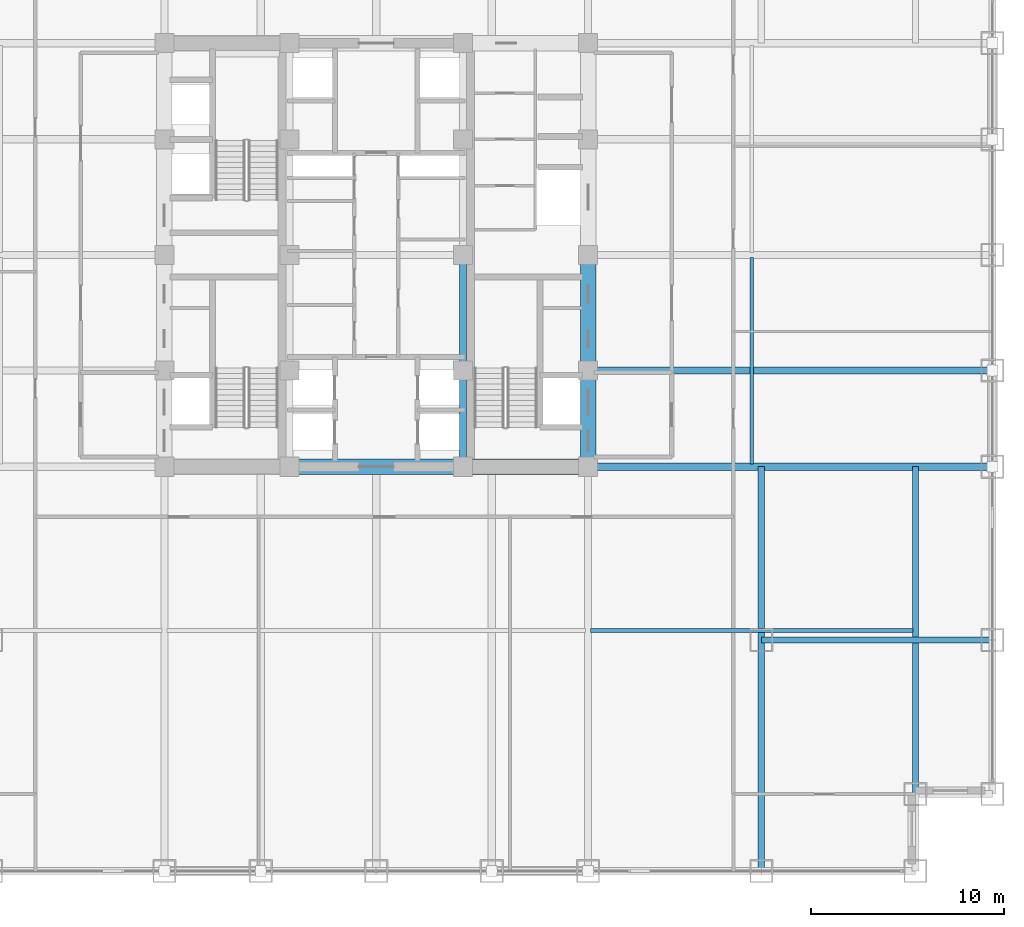
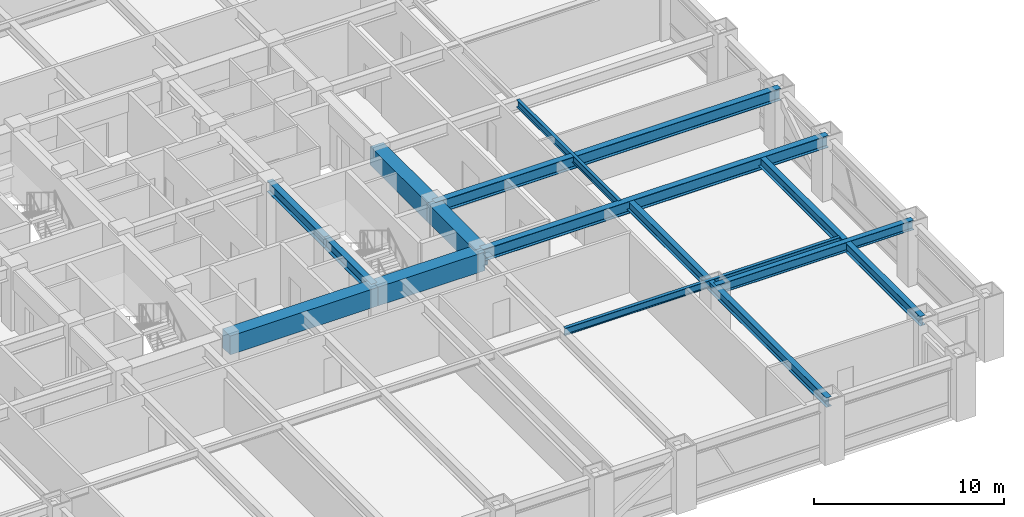
# One storey, part 7 of 27: 13 beams.
"""IFC4 building model written with IfcOpenShell, lengths in metres."""

from ifc_helpers import new_model, si_unit, direction, frame, origin, origin_2d, place, context, subcontext, project, spatial, rectangle, i_section, extrude, source, transform, mapped, material, material_profile, profile_set, type_object, element, save


model = new_model("IFC4")

# Units and contexts
model_context = context("Model", 3, precision=1e-05, world=origin(), true_north=direction((0.0, 1.0)))
body_context = subcontext(model_context, "Body", "Model", "MODEL_VIEW")
ifc_project = project(units=[si_unit("LENGTHUNIT", "METRE"), si_unit("AREAUNIT", "SQUARE_METRE"), si_unit("VOLUMEUNIT", "CUBIC_METRE"), si_unit("PLANEANGLEUNIT", "RADIAN"), si_unit("MASSUNIT", "GRAM", prefix="KILO")], contexts=[model_context])

# Site, building, storey
site_placement = place(None, origin())
site = spatial("IfcSite", under=ifc_project, at=site_placement, CompositionType="ELEMENT")
building_placement = place(site_placement, origin())
building = spatial("IfcBuilding", under=site, at=building_placement, Name="Khorayat Bourse Tower", CompositionType="ELEMENT")
storey_placement = place(building_placement, frame((0.0, 0.0, 111.89990234375)))
storey = spatial("IfcBuildingStorey", under=building, at=storey_placement, Name="L25", CompositionType="ELEMENT", Elevation=111.89990234375)

# Beams
ifc_material_1 = material(Name="Concrete C72/90", Category="concrete")
ifc_material_profile_1 = material_profile(ifc_material_1, rectangle(XDim=0.800048828125, YDim=1.199951171875, at=origin_2d()), Name="RC 800x1200")
ifc_profile_set_1 = profile_set([ifc_material_profile_1], Name="Concrete C72/90")
beam_type_1 = type_object("IfcBeamType", Name="BM-COUP-1200", PredefinedType="BEAM", material=ifc_profile_set_1)
shared_shape_1 = source(origin(), body_context, "Body", "SweptSolid", [
    extrude(rectangle(XDim=0.800048828125, YDim=1.199951171875, at=origin_2d()), origin(), (0.0, 0.0, 1.0), 5.0),
])
beam_1_placement = place(storey_placement, frame((11.0, -11.0, 3.239990234375), z_axis=(0.0, 1.0, 0.0), x_axis=(-1.0, 0.0, 0.0)))
element("IfcBeam", 1, at=beam_1_placement, inside=storey, type_object=beam_type_1, Name="L25 BM-COUP-1200 BM-L25-CRX-13", PredefinedType="BEAM", context=body_context, shape_type="MappedRepresentation", body=[
    mapped(shared_shape_1, transform((0.0, 0.0, 0.0), scale=1.0)),
])
shared_shape_2 = source(origin(), body_context, "Body", "SweptSolid", [
    extrude(rectangle(XDim=0.800048828125, YDim=1.199951171875, at=origin_2d()), origin(), (0.0, 0.0, 1.0), 6.0),
])
beam_2_placement = place(storey_placement, frame((11.0, -6.0, 3.239990234375), z_axis=(0.0, 1.0, 0.0), x_axis=(-1.0, 0.0, 0.0)))
element("IfcBeam", 2, at=beam_2_placement, inside=storey, type_object=beam_type_1, Name="L25 BM-COUP-1200 BM-L25-CRX-14", PredefinedType="BEAM", context=body_context, shape_type="MappedRepresentation", body=[
    mapped(shared_shape_2, transform((0.0, 0.0, 0.0), scale=1.0)),
])
ifc_material_2 = material(Name="Steel ASTM A992 Grade 50", Category="steel")
ifc_material_profile_2 = material_profile(ifc_material_2, i_section(OverallWidth=0.35498046875, OverallDepth=0.695068359375, WebThickness=0.015380859375, FlangeThickness=0.02490234375, FilletRadius=0.01806640625, at=origin_2d()), Name="W690X217")
ifc_profile_set_2 = profile_set([ifc_material_profile_2], Name="Steel ASTM A992 Grade 50")
beam_type_2 = type_object("IfcBeamType", Name="BM-GIRD-690", PredefinedType="BEAM", material=ifc_profile_set_2)
shared_shape_3 = source(origin(), body_context, "Body", "SweptSolid", [
    extrude(i_section(OverallWidth=0.35498046875, OverallDepth=0.695068359375, WebThickness=0.015380859375, FlangeThickness=0.02490234375, FilletRadius=0.01806640625, at=origin_2d()), origin(), (0.0, 0.0, 1.0), 5.0),
])
beam_3_placement = place(storey_placement, frame((4.5, -11.0, 3.49267578125), z_axis=(0.0, 1.0, 0.0), x_axis=(-1.0, 0.0, 0.0)))
element("IfcBeam", 3, at=beam_3_placement, inside=storey, type_object=beam_type_2, Name="L25 BM-GIRD-690 BM-L25-CRX-09", PredefinedType="BEAM", context=body_context, shape_type="MappedRepresentation", body=[
    mapped(shared_shape_3, transform((0.0, 0.0, 0.0), scale=1.0)),
])
shared_shape_4 = source(origin(), body_context, "Body", "SweptSolid", [
    extrude(i_section(OverallWidth=0.35498046875, OverallDepth=0.695068359375, WebThickness=0.015380859375, FlangeThickness=0.02490234375, FilletRadius=0.01806640625, at=origin_2d()), origin(), (0.0, 0.0, 1.0), 6.0),
])
beam_4_placement = place(storey_placement, frame((4.5, -6.0, 3.49267578125), z_axis=(0.0, 1.0, 0.0), x_axis=(-1.0, 0.0, 0.0)))
element("IfcBeam", 4, at=beam_4_placement, inside=storey, type_object=beam_type_2, Name="L25 BM-GIRD-690 BM-L25-CRX-10", PredefinedType="BEAM", context=body_context, shape_type="MappedRepresentation", body=[
    mapped(shared_shape_4, transform((0.0, 0.0, 0.0), scale=1.0)),
])
shared_shape_5 = source(origin(), body_context, "Body", "SweptSolid", [
    extrude(rectangle(XDim=0.800048828125, YDim=1.199951171875, at=origin_2d()), origin(), (0.0, 0.0, 1.0), 6.5),
])
beam_5_placement = place(storey_placement, frame((4.5, -11.0, 3.239990234375), z_axis=(1.0, 0.0, 0.0), x_axis=(0.0, 1.0, 0.0)))
element("IfcBeam", 5, at=beam_5_placement, inside=storey, type_object=beam_type_1, Name="L25 BM-COUP-1200 BM-L25-CRY-19", PredefinedType="BEAM", context=body_context, shape_type="MappedRepresentation", body=[
    mapped(shared_shape_5, transform((0.0, 0.0, 0.0), scale=1.0)),
])
shared_shape_6 = source(origin(), body_context, "Body", "SweptSolid", [
    extrude(rectangle(XDim=0.800048828125, YDim=1.199951171875, at=origin_2d()), origin(), (0.0, 0.0, 1.0), 9.0),
])
beam_6_placement = place(storey_placement, frame((-4.5, -11.0, 3.239990234375), z_axis=(1.0, 0.0, 0.0), x_axis=(0.0, 1.0, 0.0)))
element("IfcBeam", 6, at=beam_6_placement, inside=storey, type_object=beam_type_1, Name="L25 BM-COUP-1200 BM-L25-CRY-18", PredefinedType="BEAM", context=body_context, shape_type="MappedRepresentation", body=[
    mapped(shared_shape_6, transform((0.0, 0.0, 0.0), scale=1.0)),
])
ifc_material_profile_3 = material_profile(ifc_material_2, i_section(OverallWidth=0.324951171875, OverallDepth=0.615966796875, WebThickness=0.013916015625, FlangeThickness=0.021484375, FilletRadius=0.01611328125, at=origin_2d()), Name="W610X174")
ifc_profile_set_3 = profile_set([ifc_material_profile_3], Name="Steel ASTM A992 Grade 50")
beam_type_3 = type_object("IfcBeamType", Name="BM-GIRD-610", PredefinedType="BEAM", material=ifc_profile_set_3)
shared_shape_7 = source(origin(), body_context, "Body", "SweptSolid", [
    extrude(i_section(OverallWidth=0.324951171875, OverallDepth=0.615966796875, WebThickness=0.013916015625, FlangeThickness=0.021484375, FilletRadius=0.01611328125, at=origin_2d()), origin(), (0.0, 0.0, 1.0), 21.0),
])
beam_7_placement = place(storey_placement, frame((20.0, -32.0, 3.531982421875), z_axis=(0.0, 1.0, 0.0), x_axis=(-1.0, 0.0, 0.0)))
element("IfcBeam", 7, at=beam_7_placement, inside=storey, type_object=beam_type_3, Name="L25 BM-GIRD-610 BM-L25-CNRY-086", PredefinedType="BEAM", context=body_context, shape_type="MappedRepresentation", body=[
    mapped(shared_shape_7, transform((0.0, 0.0, 0.0), scale=1.0)),
])
shared_shape_8 = source(origin(), body_context, "Body", "SweptSolid", [
    extrude(i_section(OverallWidth=0.324951171875, OverallDepth=0.615966796875, WebThickness=0.013916015625, FlangeThickness=0.021484375, FilletRadius=0.01611328125, at=origin_2d()), origin(), (0.0, 0.0, 1.0), 12.0),
])
beam_8_placement = place(storey_placement, frame((20.0, -20.0, 3.531982421875), z_axis=(1.0, 0.0, 0.0), x_axis=(0.0, 1.0, 0.0)))
element("IfcBeam", 8, at=beam_8_placement, inside=storey, type_object=beam_type_3, Name="L25 BM-GIRD-610 BM-L25-CNRX-092", PredefinedType="BEAM", context=body_context, shape_type="MappedRepresentation", body=[
    mapped(shared_shape_8, transform((0.0, 0.0, 0.0), scale=1.0)),
])
ifc_material_profile_4 = material_profile(ifc_material_2, i_section(OverallWidth=0.194091796875, OverallDepth=0.468994140625, WebThickness=0.0126953125, FlangeThickness=0.0205078125, FilletRadius=0.012939453125, at=origin_2d()), Name="W460X106")
ifc_profile_set_4 = profile_set([ifc_material_profile_4], Name="Steel ASTM A992 Grade 50")
beam_type_4 = type_object("IfcBeamType", Name="BM-JOIST-460", PredefinedType="JOIST", material=ifc_profile_set_4)
shared_shape_9 = source(origin(), body_context, "Body", "SweptSolid", [
    extrude(i_section(OverallWidth=0.194091796875, OverallDepth=0.468994140625, WebThickness=0.0126953125, FlangeThickness=0.0205078125, FilletRadius=0.012939453125, at=origin_2d()), origin(), (0.0, 0.0, 1.0), 10.740234375),
])
beam_9_placement = place(storey_placement, frame((19.5, -10.8701171875, 3.605712890625), z_axis=(0.0, 1.0, 0.0), x_axis=(-1.0, 0.0, 0.0)))
element("IfcBeam", 9, at=beam_9_placement, inside=storey, type_object=beam_type_4, Name="L25 BM-JOIST-460 BM-L25-JSTY-104", PredefinedType="JOIST", context=body_context, shape_type="MappedRepresentation", body=[
    mapped(shared_shape_9, transform((0.0, 0.0, 0.0), scale=1.0)),
])
ifc_material_profile_5 = material_profile(ifc_material_2, i_section(OverallWidth=0.381103515625, OverallDepth=0.77294921875, WebThickness=0.0166015625, FlangeThickness=0.027587890625, FilletRadius=0.01806640625, at=origin_2d()), Name="W760X257")
ifc_profile_set_5 = profile_set([ifc_material_profile_5], Name="Steel ASTM A992 Grade 50")
beam_type_5 = type_object("IfcBeamType", Name="BM-GIRD-760", PredefinedType="BEAM", material=ifc_profile_set_5)
shared_shape_10 = source(origin(), body_context, "Body", "SweptSolid", [
    extrude(i_section(OverallWidth=0.381103515625, OverallDepth=0.77294921875, WebThickness=0.0166015625, FlangeThickness=0.027587890625, FilletRadius=0.01806640625, at=origin_2d()), origin(), (0.0, 0.0, 1.0), 21.0),
])
for number, where, z_axis, x_axis, name in (
    (10, (11.0, -11.0, 3.45361328125), (1.0, 0.0, 0.0), (0.0, 1.0, 0.0), "L25 BM-GIRD-760 BM-L25-RADX-074"),
    (11, (11.0, -6.0, 3.45361328125), (1.0, 0.0, 0.0), (0.0, 1.0, 0.0), "L25 BM-GIRD-760 BM-L25-RADX-076"),
):
    element("IfcBeam", number, at=place(storey_placement, frame(where, z_axis=z_axis, x_axis=x_axis)), inside=storey, type_object=beam_type_5, Name=name, PredefinedType="BEAM", context=body_context, shape_type="MappedRepresentation", body=[
        mapped(shared_shape_10, transform((0.0, 0.0, 0.0), scale=1.0)),
    ])
shared_shape_11 = source(origin(), body_context, "Body", "SweptSolid", [
    extrude(i_section(OverallWidth=0.324951171875, OverallDepth=0.615966796875, WebThickness=0.013916015625, FlangeThickness=0.021484375, FilletRadius=0.01611328125, at=origin_2d()), origin(), (0.0, 0.0, 1.0), 17.0),
])
beam_10_placement = place(storey_placement, frame((28.0, -28.0, 3.531982421875), z_axis=(0.0, 1.0, 0.0), x_axis=(-1.0, 0.0, 0.0)))
element("IfcBeam", 12, at=beam_10_placement, inside=storey, type_object=beam_type_3, Name="L25 BM-GIRD-610 BM-L25-CNRY-090", PredefinedType="BEAM", context=body_context, shape_type="MappedRepresentation", body=[
    mapped(shared_shape_11, transform((0.0, 0.0, 0.0), scale=1.0)),
])
shared_shape_12 = source(origin(), body_context, "Body", "SweptSolid", [
    extrude(i_section(OverallWidth=0.194091796875, OverallDepth=0.468994140625, WebThickness=0.0126953125, FlangeThickness=0.0205078125, FilletRadius=0.012939453125, at=origin_2d()), origin(), (0.0, 0.0, 1.0), 16.740234375),
])
beam_11_placement = place(storey_placement, frame((11.1298828125, -19.5, 3.605712890625), z_axis=(1.0, 0.0, 0.0), x_axis=(0.0, 1.0, 0.0)))
element("IfcBeam", 13, at=beam_11_placement, inside=storey, type_object=beam_type_4, Name="L25 BM-JOIST-460 BM-L25-JSTX-098", PredefinedType="JOIST", context=body_context, shape_type="MappedRepresentation", body=[
    mapped(shared_shape_12, transform((0.0, 0.0, 0.0), scale=1.0)),
])

save(model, "model.ifc")
